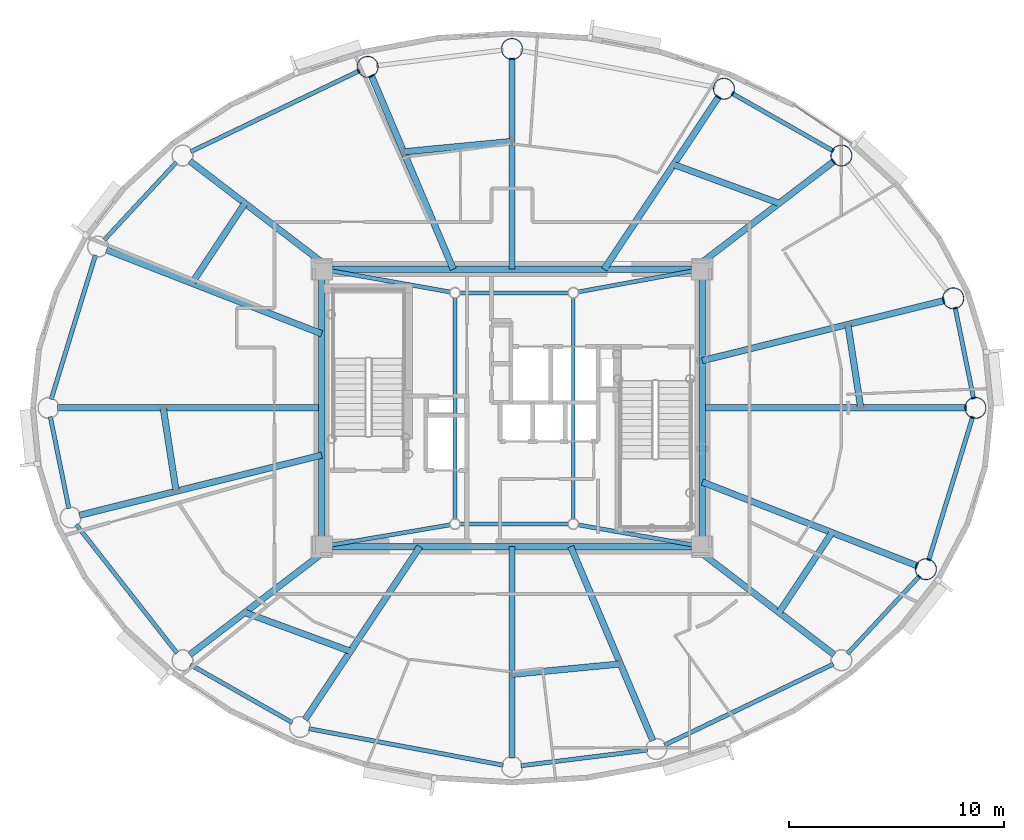
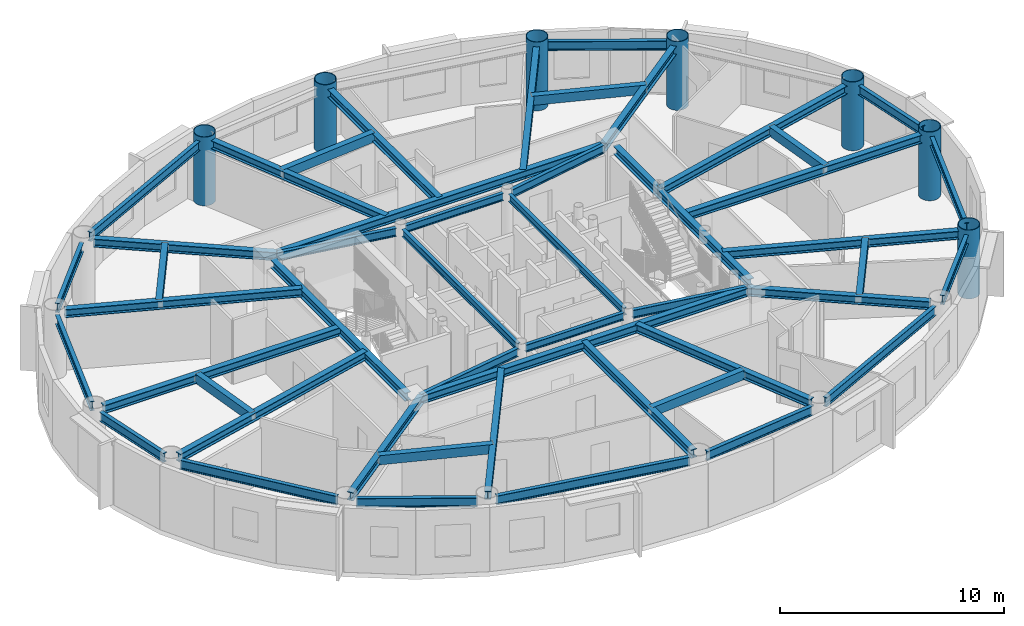
# One storey, part 2 of 16: 49 beams, 7 columns.
"""IFC4 building model written with IfcOpenShell, lengths in metres."""

from ifc_helpers import new_model, si_unit, direction, frame, origin, origin_2d, place, context, subcontext, project, spatial, hollow_rectangle, hollow_circle, i_section, extrude, material, material_profile, profile_set, type_object, element, save


model = new_model("IFC4")

# Units and contexts
model_context = context("Model", 3, precision=1e-05, world=origin(), true_north=direction((0.0, 1.0)))
body_context = subcontext(model_context, "Body", "Model", "MODEL_VIEW")
ifc_project = project(units=[si_unit("LENGTHUNIT", "METRE"), si_unit("AREAUNIT", "SQUARE_METRE"), si_unit("VOLUMEUNIT", "CUBIC_METRE"), si_unit("PLANEANGLEUNIT", "RADIAN"), si_unit("MASSUNIT", "GRAM", prefix="KILO")], contexts=[model_context])

# Site, building, storey
site_placement = place(None, origin())
site = spatial("IfcSite", under=ifc_project, at=site_placement, CompositionType="ELEMENT")
building_placement = place(site_placement, origin())
building = spatial("IfcBuilding", under=site, at=building_placement, Name="Linh Dai School and Residence Tower", CompositionType="ELEMENT")
storey_placement = place(building_placement, frame((0.0, 0.0, 306.75)))
storey = spatial("IfcBuildingStorey", under=building, at=storey_placement, Name="L76", CompositionType="ELEMENT", Elevation=306.75)

# Columns
ifc_material = material(Name="Structural Steel S355JR", Category="steel")
ifc_material_profile_1 = material_profile(ifc_material, hollow_circle(Radius=0.5, WallThickness=0.031982421875, at=origin_2d()), Name="CHS 1000x32")
ifc_profile_set_1 = profile_set([ifc_material_profile_1], Name="Structural Steel S355JR")
column_type = type_object("IfcColumnType", Name="COL-MC6", PredefinedType="COLUMN", material=ifc_profile_set_1)
for number, where, z_axis, x_axis, name in (
    (1, (57.550048828125, 27.0, 0.0), (0.0, 0.0, 1.0), (1.0, 0.0, 0.0), "L76 Perimeter CFT Mega-Column MC01"),
    (2, (56.5185546875, 32.094482421875, 0.0), (0.0, 0.0, 1.0), (1.0, 0.0, 0.0), "L76 Perimeter CFT Mega-Column MC02"),
    (3, (51.315185546875, 38.7333984375, 0.0), (0.0, 0.0, 1.0), (1.0, 0.0, 0.0), "L76 Perimeter CFT Mega-Column MC03"),
    (4, (45.8544921875, 41.8388671875, 0.0), (0.0, 0.0, 1.0), (1.0, 0.0, 0.0), "L76 Perimeter CFT Mega-Column MC04"),
    (5, (36.0, 43.68994140625, 0.0), (0.0, 0.0, 1.0), (1.0, 0.0, 0.0), "L76 Perimeter CFT Mega-Column MC05"),
    (6, (29.28759765625, 42.857666015625, 0.0), (0.0, 0.0, 1.0), (1.0, 0.0, 0.0), "L76 Perimeter CFT Mega-Column MC06"),
    (7, (55.24609375, 19.50048828125, 0.0), (0.0, 0.0, 1.0), (1.0, 0.0, 0.0), "L76 Perimeter CFT Mega-Column MC16"),
):
    element("IfcColumn", number, at=place(storey_placement, frame(where, z_axis=z_axis, x_axis=x_axis)), inside=storey, type_object=column_type, Name=name, PredefinedType="COLUMN", context=body_context, shape_type="SweptSolid", body=[
        extrude(hollow_circle(Radius=0.5, WallThickness=0.031982421875, at=origin_2d()), origin(), (0.0, 0.0, 1.0), 3.75),
    ])

# Beams
ifc_material_profile_2 = material_profile(ifc_material, hollow_rectangle(XDim=0.300048828125, YDim=0.5, WallThickness=0.01611328125, at=origin_2d()), Name="RHS 500x300x16")
ifc_profile_set_2 = profile_set([ifc_material_profile_2], Name="Structural Steel S355JR")
beam_type_1 = type_object("IfcBeamType", Name="BM-BX5", PredefinedType="BEAM", material=ifc_profile_set_2)
beam_1_placement = place(storey_placement, frame((52.21533203125, 27.0048828125, 3.25), z_axis=(-0.15246970742, 0.988308144416, 0.0), x_axis=(-0.988308144416, -0.15246970742, 0.0)))
element("IfcBeam", 8, at=beam_1_placement, inside=storey, type_object=beam_type_1, Name="L76 Secondary Circumferential Floor Beam 01", PredefinedType="BEAM", context=body_context, shape_type="SweptSolid", body=[
    extrude(hollow_rectangle(XDim=0.300048828125, YDim=0.5, WallThickness=0.01611328125, at=origin_2d()), origin(), (0.0, 0.0, 1.0), 3.913330078125),
])
beam_2_placement = place(storey_placement, frame((48.4140625, 36.51611328125, 3.25), z_axis=(-0.938699136888, 0.344737480418, 0.0), x_axis=(-0.344737480418, -0.938699136888, 0.0)))
element("IfcBeam", 9, at=beam_2_placement, inside=storey, type_object=beam_type_1, Name="L76 Secondary Circumferential Floor Beam 02", PredefinedType="BEAM", context=body_context, shape_type="SweptSolid", body=[
    extrude(hollow_rectangle(XDim=0.300048828125, YDim=0.5, WallThickness=0.01611328125, at=origin_2d()), origin(), (0.0, 0.0, 1.0), 5.21435546875),
])
beam_3_placement = place(storey_placement, frame((35.9951171875, 39.388671875, 3.25), z_axis=(-0.99544604529, -0.095326653757, 0.0), x_axis=(0.095326653757, -0.99544604529, 0.0)))
element("IfcBeam", 10, at=beam_3_placement, inside=storey, type_object=beam_type_1, Name="L76 Secondary Circumferential Floor Beam 03", PredefinedType="BEAM", context=body_context, shape_type="SweptSolid", body=[
    extrude(hollow_rectangle(XDim=0.300048828125, YDim=0.5, WallThickness=0.01611328125, at=origin_2d()), origin(), (0.0, 0.0, 1.0), 5.052978515625),
])
beam_4_placement = place(storey_placement, frame((23.57861328125, 36.51025390625, 3.25), z_axis=(-0.552138599569, -0.833752341445, 0.0), x_axis=(0.833752341445, -0.552138599569, 0.0)))
element("IfcBeam", 11, at=beam_4_placement, inside=storey, type_object=beam_type_1, Name="L76 Secondary Circumferential Floor Beam 04", PredefinedType="BEAM", context=body_context, shape_type="SweptSolid", body=[
    extrude(hollow_rectangle(XDim=0.300048828125, YDim=0.5, WallThickness=0.01611328125, at=origin_2d()), origin(), (0.0, 0.0, 1.0), 4.447265625),
])
beam_5_placement = place(storey_placement, frame((19.78466796875, 26.9951171875, 3.25), z_axis=(0.15246970742, -0.988308144416, 0.0), x_axis=(0.988308144416, 0.15246970742, 0.0)))
element("IfcBeam", 12, at=beam_5_placement, inside=storey, type_object=beam_type_1, Name="L76 Secondary Circumferential Floor Beam 05", PredefinedType="BEAM", context=body_context, shape_type="SweptSolid", body=[
    extrude(hollow_rectangle(XDim=0.300048828125, YDim=0.5, WallThickness=0.01611328125, at=origin_2d()), origin(), (0.0, 0.0, 1.0), 3.913330078125),
])
beam_6_placement = place(storey_placement, frame((23.5859375, 17.48388671875, 3.25), z_axis=(0.938699136888, -0.344737480418, 0.0), x_axis=(0.344737480418, 0.938699136888, 0.0)))
element("IfcBeam", 13, at=beam_6_placement, inside=storey, type_object=beam_type_1, Name="L76 Secondary Circumferential Floor Beam 06", PredefinedType="BEAM", context=body_context, shape_type="SweptSolid", body=[
    extrude(hollow_rectangle(XDim=0.300048828125, YDim=0.5, WallThickness=0.01611328125, at=origin_2d()), origin(), (0.0, 0.0, 1.0), 5.21435546875),
])
beam_7_placement = place(storey_placement, frame((36.0048828125, 14.611328125, 3.25), z_axis=(0.99544604529, 0.095326653757, 0.0), x_axis=(-0.095326653757, 0.99544604529, 0.0)))
element("IfcBeam", 14, at=beam_7_placement, inside=storey, type_object=beam_type_1, Name="L76 Secondary Circumferential Floor Beam 07", PredefinedType="BEAM", context=body_context, shape_type="SweptSolid", body=[
    extrude(hollow_rectangle(XDim=0.300048828125, YDim=0.5, WallThickness=0.01611328125, at=origin_2d()), origin(), (0.0, 0.0, 1.0), 5.052978515625),
])
beam_8_placement = place(storey_placement, frame((48.42138671875, 17.48974609375, 3.25), z_axis=(0.552138599569, 0.833752341445, 0.0), x_axis=(-0.833752341445, 0.552138599569, 0.0)))
element("IfcBeam", 15, at=beam_8_placement, inside=storey, type_object=beam_type_1, Name="L76 Secondary Circumferential Floor Beam 08", PredefinedType="BEAM", context=body_context, shape_type="SweptSolid", body=[
    extrude(hollow_rectangle(XDim=0.300048828125, YDim=0.5, WallThickness=0.01611328125, at=origin_2d()), origin(), (0.0, 0.0, 1.0), 4.447265625),
])
ifc_material_profile_3 = material_profile(ifc_material, i_section(OverallWidth=0.199951171875, OverallDepth=0.5, WebThickness=0.01025390625, FlangeThickness=0.01611328125, FilletRadius=0.02099609375, at=origin_2d()), Name="IPE 500")
ifc_profile_set_3 = profile_set([ifc_material_profile_3], Name="Structural Steel S355JR")
beam_type_2 = type_object("IfcBeamType", Name="BM-RB50", PredefinedType="BEAM", material=ifc_profile_set_3)
beam_9_placement = place(storey_placement, frame((57.466552734375, 27.41162109375, 3.25), z_axis=(-0.198442801529, 0.980112470343, 0.0), x_axis=(-0.980112470343, -0.198442801529, 0.0)))
element("IfcBeam", 16, at=beam_9_placement, inside=storey, type_object=beam_type_2, Name="L76 Perimeter Elliptical Ring Beam 01", PredefinedType="BEAM", context=body_context, shape_type="SweptSolid", body=[
    extrude(i_section(OverallWidth=0.199951171875, OverallDepth=0.5, WebThickness=0.01025390625, FlangeThickness=0.01611328125, FilletRadius=0.02099609375, at=origin_2d()), origin(), (0.0, 0.0, 1.0), 4.357666015625),
])
beam_10_placement = place(storey_placement, frame((50.949951171875, 38.94091796875, 3.25), z_axis=(-0.869265548778, 0.494345431564, 0.0), x_axis=(-0.494345431564, -0.869265548778, 0.0)))
element("IfcBeam", 17, at=beam_10_placement, inside=storey, type_object=beam_type_2, Name="L76 Perimeter Elliptical Ring Beam 03", PredefinedType="BEAM", context=body_context, shape_type="SweptSolid", body=[
    extrude(i_section(OverallWidth=0.199951171875, OverallDepth=0.5, WebThickness=0.01025390625, FlangeThickness=0.01611328125, FilletRadius=0.02099609375, at=origin_2d()), origin(), (0.0, 0.0, 1.0), 5.44189453125),
])
beam_11_placement = place(storey_placement, frame((28.908935546875, 42.67626953125, 3.25), z_axis=(-0.901728757887, -0.4323022637, 0.0), x_axis=(0.4323022637, -0.901728757887, 0.0)))
element("IfcBeam", 18, at=beam_11_placement, inside=storey, type_object=beam_type_2, Name="L76 Perimeter Elliptical Ring Beam 06", PredefinedType="BEAM", context=body_context, shape_type="SweptSolid", body=[
    extrude(i_section(OverallWidth=0.199951171875, OverallDepth=0.5, WebThickness=0.01025390625, FlangeThickness=0.01611328125, FilletRadius=0.02099609375, at=origin_2d()), origin(), (0.0, 0.0, 1.0), 8.700439453125),
])
beam_12_placement = place(storey_placement, frame((20.399169921875, 38.425537109375, 3.25), z_axis=(-0.680415064526, -0.7328269509, 0.0), x_axis=(0.7328269509, -0.680415064526, 0.0)))
element("IfcBeam", 19, at=beam_12_placement, inside=storey, type_object=beam_type_2, Name="L76 Perimeter Elliptical Ring Beam 07", PredefinedType="BEAM", context=body_context, shape_type="SweptSolid", body=[
    extrude(i_section(OverallWidth=0.199951171875, OverallDepth=0.5, WebThickness=0.01025390625, FlangeThickness=0.01611328125, FilletRadius=0.02099609375, at=origin_2d()), origin(), (0.0, 0.0, 1.0), 4.9375),
])
beam_13_placement = place(storey_placement, frame((16.630615234375, 34.097900390625, 3.25), z_axis=(-0.293681749834, -0.955903253376, 0.0), x_axis=(0.955903253376, -0.293681749834, 0.0)))
element("IfcBeam", 20, at=beam_13_placement, inside=storey, type_object=beam_type_2, Name="L76 Perimeter Elliptical Ring Beam 08", PredefinedType="BEAM", context=body_context, shape_type="SweptSolid", body=[
    extrude(i_section(OverallWidth=0.199951171875, OverallDepth=0.5, WebThickness=0.01025390625, FlangeThickness=0.01611328125, FilletRadius=0.02099609375, at=origin_2d()), origin(), (0.0, 0.0, 1.0), 7.00537109375),
])
beam_14_placement = place(storey_placement, frame((14.533447265625, 26.58837890625, 3.25), z_axis=(0.198442801529, -0.980112470343, 0.0), x_axis=(0.980112470343, 0.198442801529, 0.0)))
element("IfcBeam", 21, at=beam_14_placement, inside=storey, type_object=beam_type_2, Name="L76 Perimeter Elliptical Ring Beam 09", PredefinedType="BEAM", context=body_context, shape_type="SweptSolid", body=[
    extrude(i_section(OverallWidth=0.199951171875, OverallDepth=0.5, WebThickness=0.01025390625, FlangeThickness=0.01611328125, FilletRadius=0.02099609375, at=origin_2d()), origin(), (0.0, 0.0, 1.0), 4.357666015625),
])
beam_15_placement = place(storey_placement, frame((15.740478515625, 21.574951171875, 3.25), z_axis=(0.616882739554, -0.787055071542, 0.0), x_axis=(0.787055071542, 0.616882739554, 0.0)))
element("IfcBeam", 22, at=beam_15_placement, inside=storey, type_object=beam_type_2, Name="L76 Perimeter Elliptical Ring Beam 10", PredefinedType="BEAM", context=body_context, shape_type="SweptSolid", body=[
    extrude(i_section(OverallWidth=0.199951171875, OverallDepth=0.5, WebThickness=0.01025390625, FlangeThickness=0.01611328125, FilletRadius=0.02099609375, at=origin_2d()), origin(), (0.0, 0.0, 1.0), 7.59521484375),
])
beam_16_placement = place(storey_placement, frame((21.050048828125, 15.05908203125, 3.25), z_axis=(0.869265548778, -0.494345431564, 0.0), x_axis=(0.494345431564, 0.869265548778, 0.0)))
element("IfcBeam", 23, at=beam_16_placement, inside=storey, type_object=beam_type_2, Name="L76 Perimeter Elliptical Ring Beam 11", PredefinedType="BEAM", context=body_context, shape_type="SweptSolid", body=[
    extrude(i_section(OverallWidth=0.199951171875, OverallDepth=0.5, WebThickness=0.01025390625, FlangeThickness=0.01611328125, FilletRadius=0.02099609375, at=origin_2d()), origin(), (0.0, 0.0, 1.0), 5.44189453125),
])
beam_17_placement = place(storey_placement, frame((26.558349609375, 12.083740234375, 3.25), z_axis=(0.982805333306, -0.184644731378, 0.0), x_axis=(0.184644731378, 0.982805333306, 0.0)))
element("IfcBeam", 24, at=beam_17_placement, inside=storey, type_object=beam_type_2, Name="L76 Perimeter Elliptical Ring Beam 12", PredefinedType="BEAM", context=body_context, shape_type="SweptSolid", body=[
    extrude(i_section(OverallWidth=0.199951171875, OverallDepth=0.5, WebThickness=0.01025390625, FlangeThickness=0.01611328125, FilletRadius=0.02099609375, at=origin_2d()), origin(), (0.0, 0.0, 1.0), 9.186767578125),
])
beam_18_placement = place(storey_placement, frame((36.416748046875, 10.361572265625, 3.25), z_axis=(0.992399134443, 0.123060789678, 0.0), x_axis=(-0.123060789678, 0.992399134443, 0.0)))
element("IfcBeam", 25, at=beam_18_placement, inside=storey, type_object=beam_type_2, Name="L76 Perimeter Elliptical Ring Beam 13", PredefinedType="BEAM", context=body_context, shape_type="SweptSolid", body=[
    extrude(i_section(OverallWidth=0.199951171875, OverallDepth=0.5, WebThickness=0.01025390625, FlangeThickness=0.01611328125, FilletRadius=0.02099609375, at=origin_2d()), origin(), (0.0, 0.0, 1.0), 5.923828125),
])
beam_19_placement = place(storey_placement, frame((43.091064453125, 11.32373046875, 3.25), z_axis=(0.901728757887, 0.4323022637, 0.0), x_axis=(-0.4323022637, 0.901728757887, 0.0)))
element("IfcBeam", 26, at=beam_19_placement, inside=storey, type_object=beam_type_2, Name="L76 Perimeter Elliptical Ring Beam 14", PredefinedType="BEAM", context=body_context, shape_type="SweptSolid", body=[
    extrude(i_section(OverallWidth=0.199951171875, OverallDepth=0.5, WebThickness=0.01025390625, FlangeThickness=0.01611328125, FilletRadius=0.02099609375, at=origin_2d()), origin(), (0.0, 0.0, 1.0), 8.700439453125),
])
beam_20_placement = place(storey_placement, frame((51.600830078125, 15.574462890625, 3.25), z_axis=(0.680415064526, 0.7328269509, 0.0), x_axis=(-0.7328269509, 0.680415064526, 0.0)))
element("IfcBeam", 27, at=beam_20_placement, inside=storey, type_object=beam_type_2, Name="L76 Perimeter Elliptical Ring Beam 15", PredefinedType="BEAM", context=body_context, shape_type="SweptSolid", body=[
    extrude(i_section(OverallWidth=0.199951171875, OverallDepth=0.5, WebThickness=0.01025390625, FlangeThickness=0.01611328125, FilletRadius=0.02099609375, at=origin_2d()), origin(), (0.0, 0.0, 1.0), 4.9375),
])
beam_21_placement = place(storey_placement, frame((55.369384765625, 19.902099609375, 3.25), z_axis=(0.293681749834, 0.955903253376, 0.0), x_axis=(-0.955903253376, 0.293681749834, 0.0)))
element("IfcBeam", 28, at=beam_21_placement, inside=storey, type_object=beam_type_2, Name="L76 Perimeter Elliptical Ring Beam 16", PredefinedType="BEAM", context=body_context, shape_type="SweptSolid", body=[
    extrude(i_section(OverallWidth=0.199951171875, OverallDepth=0.5, WebThickness=0.01025390625, FlangeThickness=0.01611328125, FilletRadius=0.02099609375, at=origin_2d()), origin(), (0.0, 0.0, 1.0), 7.00537109375),
])
ifc_material_profile_4 = material_profile(ifc_material, i_section(OverallWidth=0.300048828125, OverallDepth=0.449951171875, WebThickness=0.013916015625, FlangeThickness=0.02587890625, FilletRadius=0.027099609375, at=origin_2d()), Name="HEB 450")
ifc_profile_set_4 = profile_set([ifc_material_profile_4], Name="Structural Steel S355JR")
beam_type_3 = type_object("IfcBeamType", Name="BM-RG45", PredefinedType="BEAM", material=ifc_profile_set_4)
beam_22_placement = place(storey_placement, frame((27.570068359375, 20.550048828125, 3.27490234375), z_axis=(1.0, 0.0, 0.0), x_axis=(0.0, 1.0, 0.0)))
element("IfcBeam", 29, at=beam_22_placement, inside=storey, type_object=beam_type_3, Name="L76 Core Perimeter Coupling Girder 1", PredefinedType="BEAM", context=body_context, shape_type="SweptSolid", body=[
    extrude(i_section(OverallWidth=0.300048828125, OverallDepth=0.449951171875, WebThickness=0.013916015625, FlangeThickness=0.02587890625, FilletRadius=0.027099609375, at=origin_2d()), origin(), (0.0, 0.0, 1.0), 16.85986328125),
])
beam_23_placement = place(storey_placement, frame((44.85009765625, 20.969970703125, 3.27490234375), z_axis=(0.0, 1.0, 0.0), x_axis=(-1.0, 0.0, 0.0)))
element("IfcBeam", 30, at=beam_23_placement, inside=storey, type_object=beam_type_3, Name="L76 Core Perimeter Coupling Girder 2", PredefinedType="BEAM", context=body_context, shape_type="SweptSolid", body=[
    extrude(i_section(OverallWidth=0.300048828125, OverallDepth=0.449951171875, WebThickness=0.013916015625, FlangeThickness=0.02587890625, FilletRadius=0.027099609375, at=origin_2d()), origin(), (0.0, 0.0, 1.0), 12.06005859375),
])
beam_24_placement = place(storey_placement, frame((44.429931640625, 33.449951171875, 3.27490234375), z_axis=(-1.0, 0.0, 0.0), x_axis=(0.0, -1.0, 0.0)))
element("IfcBeam", 31, at=beam_24_placement, inside=storey, type_object=beam_type_3, Name="L76 Core Perimeter Coupling Girder 3", PredefinedType="BEAM", context=body_context, shape_type="SweptSolid", body=[
    extrude(i_section(OverallWidth=0.300048828125, OverallDepth=0.449951171875, WebThickness=0.013916015625, FlangeThickness=0.02587890625, FilletRadius=0.027099609375, at=origin_2d()), origin(), (0.0, 0.0, 1.0), 16.85986328125),
])
beam_25_placement = place(storey_placement, frame((27.14990234375, 33.030029296875, 3.27490234375), z_axis=(0.0, -1.0, 0.0), x_axis=(1.0, 0.0, 0.0)))
element("IfcBeam", 32, at=beam_25_placement, inside=storey, type_object=beam_type_3, Name="L76 Core Perimeter Coupling Girder 4", PredefinedType="BEAM", context=body_context, shape_type="SweptSolid", body=[
    extrude(i_section(OverallWidth=0.300048828125, OverallDepth=0.449951171875, WebThickness=0.013916015625, FlangeThickness=0.02587890625, FilletRadius=0.027099609375, at=origin_2d()), origin(), (0.0, 0.0, 1.0), 12.06005859375),
])
beam_26_placement = place(storey_placement, frame((44.85009765625, 27.0, 3.27490234375), z_axis=(1.0, 0.0, 0.0), x_axis=(0.0, 1.0, 0.0)))
element("IfcBeam", 33, at=beam_26_placement, inside=storey, type_object=beam_type_3, Name="L76 Primary Radial Floor Girder 01", PredefinedType="BEAM", context=body_context, shape_type="SweptSolid", body=[
    extrude(i_section(OverallWidth=0.300048828125, OverallDepth=0.449951171875, WebThickness=0.013916015625, FlangeThickness=0.02587890625, FilletRadius=0.027099609375, at=origin_2d()), origin(), (0.0, 0.0, 1.0), 12.27978515625),
])
beam_27_placement = place(storey_placement, frame((44.85009765625, 29.197265625, 3.27490234375), z_axis=(0.970532368701, 0.240970789315, 0.0), x_axis=(-0.240970789315, 0.970532368701, 0.0)))
element("IfcBeam", 34, at=beam_27_placement, inside=storey, type_object=beam_type_3, Name="L76 Primary Radial Floor Girder 02", PredefinedType="BEAM", context=body_context, shape_type="SweptSolid", body=[
    extrude(i_section(OverallWidth=0.300048828125, OverallDepth=0.449951171875, WebThickness=0.013916015625, FlangeThickness=0.02587890625, FilletRadius=0.027099609375, at=origin_2d()), origin(), (0.0, 0.0, 1.0), 11.6025390625),
])
beam_28_placement = place(storey_placement, frame((44.4189453125, 33.449951171875, 3.27490234375), z_axis=(0.793802616583, 0.608175472956, 0.0), x_axis=(-0.608175472956, 0.793802616583, 0.0)))
element("IfcBeam", 35, at=beam_28_placement, inside=storey, type_object=beam_type_3, Name="L76 Primary Radial Floor Girder 03", PredefinedType="BEAM", context=body_context, shape_type="SweptSolid", body=[
    extrude(i_section(OverallWidth=0.300048828125, OverallDepth=0.449951171875, WebThickness=0.013916015625, FlangeThickness=0.02587890625, FilletRadius=0.027099609375, at=origin_2d()), origin(), (0.0, 0.0, 1.0), 8.267578125),
])
beam_29_placement = place(storey_placement, frame((40.283447265625, 33.449951171875, 3.27490234375), z_axis=(0.553210566646, 0.833041456922, 0.0), x_axis=(-0.833041456922, 0.553210566646, 0.0)))
element("IfcBeam", 36, at=beam_29_placement, inside=storey, type_object=beam_type_3, Name="L76 Primary Radial Floor Girder 04", PredefinedType="BEAM", context=body_context, shape_type="SweptSolid", body=[
    extrude(i_section(OverallWidth=0.300048828125, OverallDepth=0.449951171875, WebThickness=0.013916015625, FlangeThickness=0.02587890625, FilletRadius=0.027099609375, at=origin_2d()), origin(), (0.0, 0.0, 1.0), 9.650146484375),
])
beam_30_placement = place(storey_placement, frame((36.0, 33.449951171875, 3.27490234375), z_axis=(0.0, 1.0, 0.0), x_axis=(-1.0, 0.0, 0.0)))
element("IfcBeam", 37, at=beam_30_placement, inside=storey, type_object=beam_type_3, Name="L76 Primary Radial Floor Girder 05", PredefinedType="BEAM", context=body_context, shape_type="SweptSolid", body=[
    extrude(i_section(OverallWidth=0.300048828125, OverallDepth=0.449951171875, WebThickness=0.013916015625, FlangeThickness=0.02587890625, FilletRadius=0.027099609375, at=origin_2d()), origin(), (0.0, 0.0, 1.0), 9.820068359375),
])
beam_31_placement = place(storey_placement, frame((33.269775390625, 33.449951171875, 3.27490234375), z_axis=(-0.389794463678, 0.920901881899, 0.0), x_axis=(-0.920901881899, -0.389794463678, 0.0)))
element("IfcBeam", 38, at=beam_31_placement, inside=storey, type_object=beam_type_3, Name="L76 Primary Radial Floor Girder 06", PredefinedType="BEAM", context=body_context, shape_type="SweptSolid", body=[
    extrude(i_section(OverallWidth=0.300048828125, OverallDepth=0.449951171875, WebThickness=0.013916015625, FlangeThickness=0.02587890625, FilletRadius=0.027099609375, at=origin_2d()), origin(), (0.0, 0.0, 1.0), 9.7958984375),
])
beam_32_placement = place(storey_placement, frame((27.5810546875, 33.449951171875, 3.27490234375), z_axis=(-0.793802616583, 0.608175472956, 0.0), x_axis=(-0.608175472956, -0.793802616583, 0.0)))
element("IfcBeam", 39, at=beam_32_placement, inside=storey, type_object=beam_type_3, Name="L76 Primary Radial Floor Girder 07", PredefinedType="BEAM", context=body_context, shape_type="SweptSolid", body=[
    extrude(i_section(OverallWidth=0.300048828125, OverallDepth=0.449951171875, WebThickness=0.013916015625, FlangeThickness=0.02587890625, FilletRadius=0.027099609375, at=origin_2d()), origin(), (0.0, 0.0, 1.0), 8.267578125),
])
beam_33_placement = place(storey_placement, frame((27.14990234375, 30.448486328125, 3.27490234375), z_axis=(-0.931760809838, 0.363072710693, 0.0), x_axis=(-0.363072710693, -0.931760809838, 0.0)))
element("IfcBeam", 40, at=beam_33_placement, inside=storey, type_object=beam_type_3, Name="L76 Primary Radial Floor Girder 08", PredefinedType="BEAM", context=body_context, shape_type="SweptSolid", body=[
    extrude(i_section(OverallWidth=0.300048828125, OverallDepth=0.449951171875, WebThickness=0.013916015625, FlangeThickness=0.02587890625, FilletRadius=0.027099609375, at=origin_2d()), origin(), (0.0, 0.0, 1.0), 10.7373046875),
])
beam_34_placement = place(storey_placement, frame((27.14990234375, 27.0, 3.27490234375), z_axis=(-1.0, 0.0, 0.0), x_axis=(0.0, -1.0, 0.0)))
element("IfcBeam", 41, at=beam_34_placement, inside=storey, type_object=beam_type_3, Name="L76 Primary Radial Floor Girder 09", PredefinedType="BEAM", context=body_context, shape_type="SweptSolid", body=[
    extrude(i_section(OverallWidth=0.300048828125, OverallDepth=0.449951171875, WebThickness=0.013916015625, FlangeThickness=0.02587890625, FilletRadius=0.027099609375, at=origin_2d()), origin(), (0.0, 0.0, 1.0), 12.27978515625),
])
beam_35_placement = place(storey_placement, frame((27.14990234375, 24.802734375, 3.27490234375), z_axis=(-0.970532368701, -0.240970789315, 0.0), x_axis=(0.240970789315, -0.970532368701, 0.0)))
element("IfcBeam", 42, at=beam_35_placement, inside=storey, type_object=beam_type_3, Name="L76 Primary Radial Floor Girder 10", PredefinedType="BEAM", context=body_context, shape_type="SweptSolid", body=[
    extrude(i_section(OverallWidth=0.300048828125, OverallDepth=0.449951171875, WebThickness=0.013916015625, FlangeThickness=0.02587890625, FilletRadius=0.027099609375, at=origin_2d()), origin(), (0.0, 0.0, 1.0), 11.6025390625),
])
beam_36_placement = place(storey_placement, frame((27.5810546875, 20.550048828125, 3.27490234375), z_axis=(-0.793802616583, -0.608175472956, 0.0), x_axis=(0.608175472956, -0.793802616583, 0.0)))
element("IfcBeam", 43, at=beam_36_placement, inside=storey, type_object=beam_type_3, Name="L76 Primary Radial Floor Girder 11", PredefinedType="BEAM", context=body_context, shape_type="SweptSolid", body=[
    extrude(i_section(OverallWidth=0.300048828125, OverallDepth=0.449951171875, WebThickness=0.013916015625, FlangeThickness=0.02587890625, FilletRadius=0.027099609375, at=origin_2d()), origin(), (0.0, 0.0, 1.0), 8.267578125),
])
beam_37_placement = place(storey_placement, frame((31.716552734375, 20.550048828125, 3.27490234375), z_axis=(-0.553210566646, -0.833041456922, 0.0), x_axis=(0.833041456922, -0.553210566646, 0.0)))
element("IfcBeam", 44, at=beam_37_placement, inside=storey, type_object=beam_type_3, Name="L76 Primary Radial Floor Girder 12", PredefinedType="BEAM", context=body_context, shape_type="SweptSolid", body=[
    extrude(i_section(OverallWidth=0.300048828125, OverallDepth=0.449951171875, WebThickness=0.013916015625, FlangeThickness=0.02587890625, FilletRadius=0.027099609375, at=origin_2d()), origin(), (0.0, 0.0, 1.0), 9.650146484375),
])
beam_38_placement = place(storey_placement, frame((36.0, 20.550048828125, 3.27490234375), z_axis=(0.0, -1.0, 0.0), x_axis=(1.0, 0.0, 0.0)))
element("IfcBeam", 45, at=beam_38_placement, inside=storey, type_object=beam_type_3, Name="L76 Primary Radial Floor Girder 13", PredefinedType="BEAM", context=body_context, shape_type="SweptSolid", body=[
    extrude(i_section(OverallWidth=0.300048828125, OverallDepth=0.449951171875, WebThickness=0.013916015625, FlangeThickness=0.02587890625, FilletRadius=0.027099609375, at=origin_2d()), origin(), (0.0, 0.0, 1.0), 9.820068359375),
])
beam_39_placement = place(storey_placement, frame((38.730224609375, 20.550048828125, 3.27490234375), z_axis=(0.389794463678, -0.920901881899, 0.0), x_axis=(0.920901881899, 0.389794463678, 0.0)))
element("IfcBeam", 46, at=beam_39_placement, inside=storey, type_object=beam_type_3, Name="L76 Primary Radial Floor Girder 14", PredefinedType="BEAM", context=body_context, shape_type="SweptSolid", body=[
    extrude(i_section(OverallWidth=0.300048828125, OverallDepth=0.449951171875, WebThickness=0.013916015625, FlangeThickness=0.02587890625, FilletRadius=0.027099609375, at=origin_2d()), origin(), (0.0, 0.0, 1.0), 9.7958984375),
])
beam_40_placement = place(storey_placement, frame((44.4189453125, 20.550048828125, 3.27490234375), z_axis=(0.793802616583, -0.608175472956, 0.0), x_axis=(0.608175472956, 0.793802616583, 0.0)))
element("IfcBeam", 47, at=beam_40_placement, inside=storey, type_object=beam_type_3, Name="L76 Primary Radial Floor Girder 15", PredefinedType="BEAM", context=body_context, shape_type="SweptSolid", body=[
    extrude(i_section(OverallWidth=0.300048828125, OverallDepth=0.449951171875, WebThickness=0.013916015625, FlangeThickness=0.02587890625, FilletRadius=0.027099609375, at=origin_2d()), origin(), (0.0, 0.0, 1.0), 8.267578125),
])
beam_41_placement = place(storey_placement, frame((44.85009765625, 23.551513671875, 3.27490234375), z_axis=(0.931760809838, -0.363072710693, 0.0), x_axis=(0.363072710693, 0.931760809838, 0.0)))
element("IfcBeam", 48, at=beam_41_placement, inside=storey, type_object=beam_type_3, Name="L76 Primary Radial Floor Girder 16", PredefinedType="BEAM", context=body_context, shape_type="SweptSolid", body=[
    extrude(i_section(OverallWidth=0.300048828125, OverallDepth=0.449951171875, WebThickness=0.013916015625, FlangeThickness=0.02587890625, FilletRadius=0.027099609375, at=origin_2d()), origin(), (0.0, 0.0, 1.0), 10.7373046875),
])
ifc_material_profile_5 = material_profile(ifc_material, i_section(OverallWidth=0.179931640625, OverallDepth=0.39990234375, WebThickness=0.008544921875, FlangeThickness=0.013427734375, FilletRadius=0.02099609375, at=origin_2d()), Name="IPE 400")
ifc_profile_set_5 = profile_set([ifc_material_profile_5], Name="Structural Steel S355JR")
beam_type_4 = type_object("IfcBeamType", Name="BM-SB40", PredefinedType="BEAM", material=ifc_profile_set_5)
beam_42_placement = place(storey_placement, frame((33.573974609375, 21.60009765625, 3.300048828125), z_axis=(1.0, 0.0, 0.0), x_axis=(0.0, 1.0, 0.0)))
element("IfcBeam", 49, at=beam_42_placement, inside=storey, type_object=beam_type_4, Name="L76 Core Mast Pier Tie Beam 1", PredefinedType="BEAM", context=body_context, shape_type="SweptSolid", body=[
    extrude(i_section(OverallWidth=0.179931640625, OverallDepth=0.39990234375, WebThickness=0.008544921875, FlangeThickness=0.013427734375, FilletRadius=0.02099609375, at=origin_2d()), origin(), (0.0, 0.0, 1.0), 5.052001953125),
])
beam_43_placement = place(storey_placement, frame((38.85009765625, 21.823974609375, 3.300048828125), z_axis=(0.0, 1.0, 0.0), x_axis=(-1.0, 0.0, 0.0)))
element("IfcBeam", 50, at=beam_43_placement, inside=storey, type_object=beam_type_4, Name="L76 Core Mast Pier Tie Beam 2", PredefinedType="BEAM", context=body_context, shape_type="SweptSolid", body=[
    extrude(i_section(OverallWidth=0.179931640625, OverallDepth=0.39990234375, WebThickness=0.008544921875, FlangeThickness=0.013427734375, FilletRadius=0.02099609375, at=origin_2d()), origin(), (0.0, 0.0, 1.0), 10.302001953125),
])
beam_44_placement = place(storey_placement, frame((38.6259765625, 32.35009765625, 3.300048828125), z_axis=(-1.0, 0.0, 0.0), x_axis=(0.0, -1.0, 0.0)))
element("IfcBeam", 51, at=beam_44_placement, inside=storey, type_object=beam_type_4, Name="L76 Core Mast Pier Tie Beam 3", PredefinedType="BEAM", context=body_context, shape_type="SweptSolid", body=[
    extrude(i_section(OverallWidth=0.179931640625, OverallDepth=0.39990234375, WebThickness=0.008544921875, FlangeThickness=0.013427734375, FilletRadius=0.02099609375, at=origin_2d()), origin(), (0.0, 0.0, 1.0), 5.052001953125),
])
beam_45_placement = place(storey_placement, frame((33.35009765625, 32.1259765625, 3.300048828125), z_axis=(0.0, -1.0, 0.0), x_axis=(1.0, 0.0, 0.0)))
element("IfcBeam", 52, at=beam_45_placement, inside=storey, type_object=beam_type_4, Name="L76 Core Mast Pier Tie Beam 4", PredefinedType="BEAM", context=body_context, shape_type="SweptSolid", body=[
    extrude(i_section(OverallWidth=0.179931640625, OverallDepth=0.39990234375, WebThickness=0.008544921875, FlangeThickness=0.013427734375, FilletRadius=0.02099609375, at=origin_2d()), origin(), (0.0, 0.0, 1.0), 10.302001953125),
])
ifc_material_profile_6 = material_profile(ifc_material, i_section(OverallWidth=0.18994140625, OverallDepth=0.449951171875, WebThickness=0.009521484375, FlangeThickness=0.0146484375, FilletRadius=0.02099609375, at=origin_2d()), Name="IPE 450")
ifc_profile_set_6 = profile_set([ifc_material_profile_6], Name="Structural Steel S355JR")
beam_type_5 = type_object("IfcBeamType", Name="BM-SB45", PredefinedType="BEAM", material=ifc_profile_set_6)
beam_46_placement = place(storey_placement, frame((27.564208984375, 20.6201171875, 3.27490234375), z_axis=(0.98596270559, 0.166965694638, 0.0), x_axis=(-0.166965694638, 0.98596270559, 0.0)))
element("IfcBeam", 53, at=beam_46_placement, inside=storey, type_object=beam_type_5, Name="L76 Core Corner-to-Mast Pier Beam 1", PredefinedType="BEAM", context=body_context, shape_type="SweptSolid", body=[
    extrude(i_section(OverallWidth=0.18994140625, OverallDepth=0.449951171875, WebThickness=0.009521484375, FlangeThickness=0.0146484375, FilletRadius=0.02099609375, at=origin_2d()), origin(), (0.0, 0.0, 1.0), 5.644287109375),
])
beam_47_placement = place(storey_placement, frame((44.436279296875, 20.622314453125, 3.27490234375), z_axis=(-0.985031608673, 0.17237380867, 0.0), x_axis=(-0.17237380867, -0.985031608673, 0.0)))
element("IfcBeam", 54, at=beam_47_placement, inside=storey, type_object=beam_type_5, Name="L76 Core Corner-to-Mast Pier Beam 2", PredefinedType="BEAM", context=body_context, shape_type="SweptSolid", body=[
    extrude(i_section(OverallWidth=0.18994140625, OverallDepth=0.449951171875, WebThickness=0.009521484375, FlangeThickness=0.0146484375, FilletRadius=0.02099609375, at=origin_2d()), origin(), (0.0, 0.0, 1.0), 5.447265625),
])
beam_48_placement = place(storey_placement, frame((44.436767578125, 33.374267578125, 3.27490234375), z_axis=(-0.983605366802, -0.180334362777, 0.0), x_axis=(0.180334362777, -0.983605366802, 0.0)))
element("IfcBeam", 55, at=beam_48_placement, inside=storey, type_object=beam_type_5, Name="L76 Core Corner-to-Mast Pier Beam 3", PredefinedType="BEAM", context=body_context, shape_type="SweptSolid", body=[
    extrude(i_section(OverallWidth=0.18994140625, OverallDepth=0.449951171875, WebThickness=0.009521484375, FlangeThickness=0.0146484375, FilletRadius=0.02099609375, at=origin_2d()), origin(), (0.0, 0.0, 1.0), 5.455810546875),
])
beam_49_placement = place(storey_placement, frame((27.5634765625, 33.376708984375, 3.27490234375), z_axis=(0.984621828197, -0.174699328672, 0.0), x_axis=(0.174699328672, 0.984621828197, 0.0)))
element("IfcBeam", 56, at=beam_49_placement, inside=storey, type_object=beam_type_5, Name="L76 Core Corner-to-Mast Pier Beam 4", PredefinedType="BEAM", context=body_context, shape_type="SweptSolid", body=[
    extrude(i_section(OverallWidth=0.18994140625, OverallDepth=0.449951171875, WebThickness=0.009521484375, FlangeThickness=0.0146484375, FilletRadius=0.02099609375, at=origin_2d()), origin(), (0.0, 0.0, 1.0), 5.65283203125),
])

save(model, "model.ifc")
